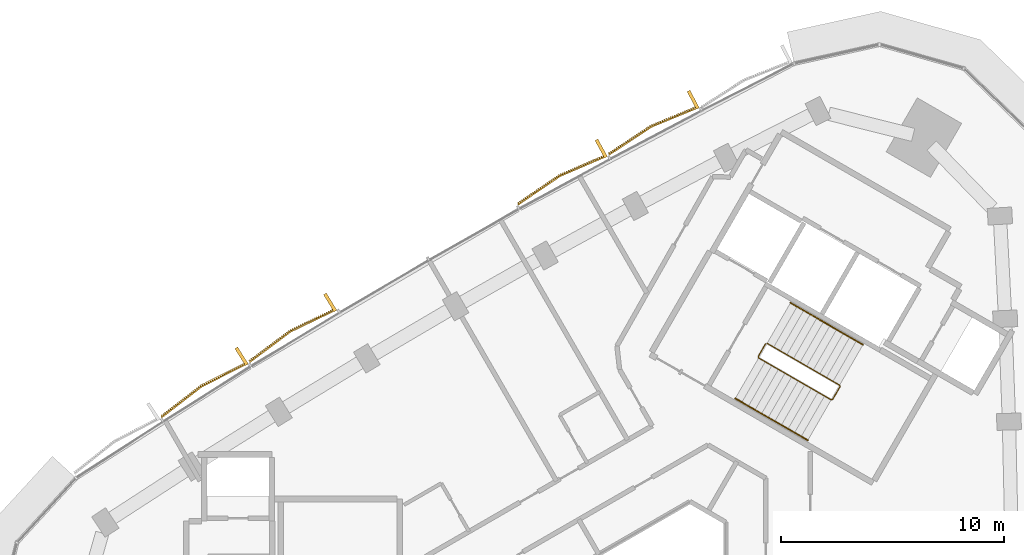
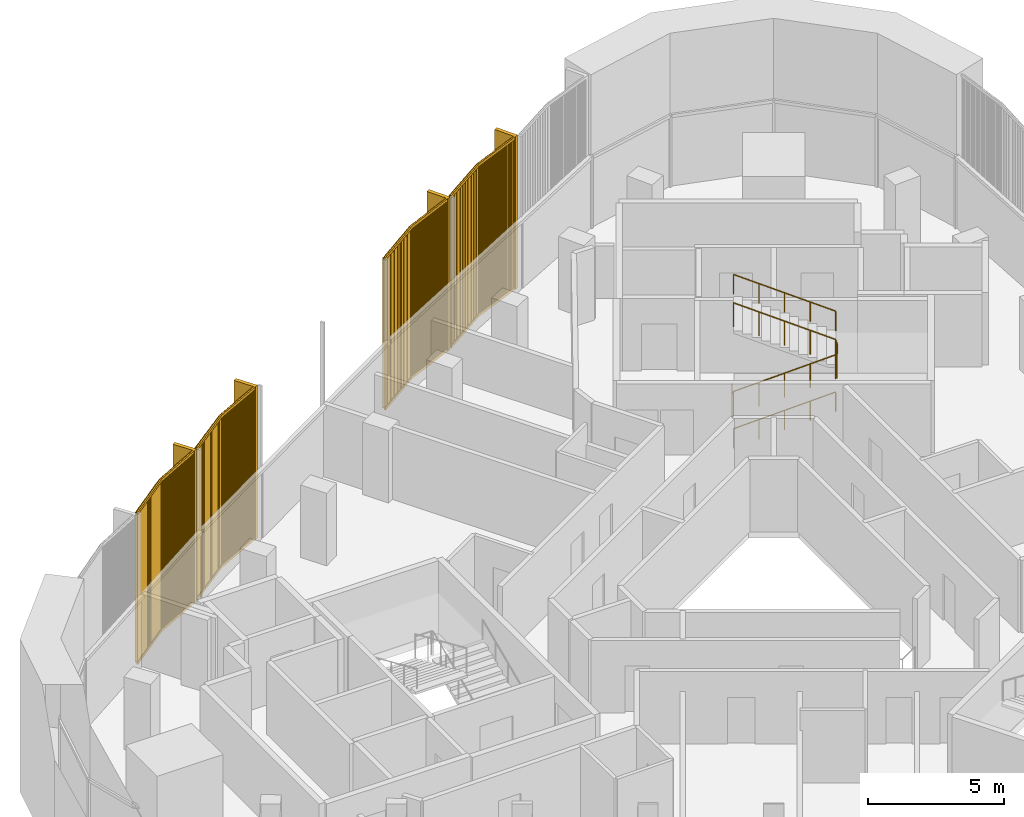
# One storey, part 15 of 16: 4 coverings, 3 railings.
"""IFC4 building model written with IfcOpenShell, lengths in metres."""

from ifc_helpers import new_model, si_unit, direction, frame, frame_2d, origin, origin_2d, place, context, subcontext, project, spatial, rectangle, circle, extrude, source, transform, mapped, material, type_object, element, save


model = new_model("IFC4")

# Units and contexts
model_context = context("Model", 3, precision=1e-05, world=origin(), true_north=direction((0.0, 1.0)))
body_context = subcontext(model_context, "Body", "Model", "MODEL_VIEW")
ifc_project = project(units=[si_unit("LENGTHUNIT", "METRE"), si_unit("AREAUNIT", "SQUARE_METRE"), si_unit("VOLUMEUNIT", "CUBIC_METRE"), si_unit("PLANEANGLEUNIT", "RADIAN"), si_unit("MASSUNIT", "GRAM", prefix="KILO")], contexts=[model_context])

# Site, building, storey
site_placement = place(None, origin())
site = spatial("IfcSite", under=ifc_project, at=site_placement, CompositionType="ELEMENT")
building_placement = place(site_placement, origin())
building = spatial("IfcBuilding", under=site, at=building_placement, Name="Tamra Quay Hotel Tower", CompositionType="ELEMENT")
storey_placement = place(building_placement, frame((0.0, 0.0, 232.199951171875)))
storey = spatial("IfcBuildingStorey", under=building, at=storey_placement, Name="L58", CompositionType="ELEMENT", Elevation=232.199951171875)

# Railings
ifc_material_1 = material(Name="Stair guard 1100")
railing_type_1 = type_object("IfcRailingType", Name="Stair guard 1100", PredefinedType="GUARDRAIL", material=ifc_material_1)
railing_1_placement = place(storey_placement, frame((5.595458984375, 12.751953125, 0.0)))
element("IfcRailing", 1, at=railing_1_placement, inside=storey, type_object=railing_type_1, Name="GR", PredefinedType="GUARDRAIL", context=body_context, shape_type="SweptSolid", body=[
    extrude(circle(Radius=0.02392578125, at=origin_2d()), frame((0.0, 0.0, 1.076171875), z_axis=(-0.499765215335, -0.866160914346, 0.0), x_axis=(0.866160914346, -0.499765215335, 0.0)), (0.0, 0.0, 1.0), 0.658935546875),
    extrude(circle(Radius=0.02392578125, at=origin_2d()), frame((-0.329345703125, -0.57080078125, 1.076171875), z_axis=(0.110378772244, -0.410609032747, 0.905105932399), x_axis=(0.965715946433, 0.259601060869, 0.0)), (0.0, 0.0, 1.0), 0.165771484375),
    extrude(circle(Radius=0.02392578125, at=origin_2d()), frame((-0.31103515625, -0.638916015625, 1.22607421875), z_axis=(0.793078462799, -0.457933869594, 0.401650498471), x_axis=(0.500040788363, 0.866001853331, 0.0)), (0.0, 0.0, 1.0), 4.10791015625),
    extrude(circle(Radius=0.02392578125, at=origin_2d()), frame((2.94677734375, -2.52001953125, 2.8759765625), z_axis=(0.965948051503, 0.258736085224, 0.0), x_axis=(-0.258736085224, 0.965948051503, 0.0)), (0.0, 0.0, 1.0), 0.07080078125),
    extrude(circle(Radius=0.02392578125, at=origin_2d()), frame((3.01513671875, -2.501708984375, 2.8759765625), z_axis=(0.500043078269, 0.866000531106, 0.0), x_axis=(-0.866000531106, 0.500043078269, 0.0)), (0.0, 0.0, 1.0), 0.6591796875),
    extrude(circle(Radius=0.02392578125, at=origin_2d()), frame((3.3447265625, -1.930908203125, 2.8759765625), z_axis=(-0.110525977783, 0.411156637351, 0.904839338113), x_axis=(-0.965715946433, -0.259601060869, 0.0)), (0.0, 0.0, 1.0), 0.165771484375),
    extrude(circle(Radius=0.02392578125, at=origin_2d()), frame((3.326416015625, -1.86279296875, 3.02587890625), z_axis=(-0.793081581205, 0.457901355053, 0.401681409319), x_axis=(-0.500012686397, -0.866018079166, 0.0)), (0.0, 0.0, 1.0), 4.108154296875),
    extrude(circle(Radius=0.02099609375, at=origin_2d()), origin(), (0.0, 0.0, 1.0), 1.052001953125),
    extrude(circle(Radius=0.02099609375, at=origin_2d()), frame((-0.329345703125, -0.57080078125, 0.0)), (0.0, 0.0, 1.0), 1.052001953125),
    extrude(circle(Radius=0.02099609375, at=origin_2d()), frame((-0.31103515625, -0.638916015625, 0.150146484375)), (0.0, 0.0, 1.0), 1.052001953125),
    extrude(circle(Radius=0.02099609375, at=origin_2d()), frame((0.50341796875, -1.109130859375, 0.5625)), (0.0, 0.0, 1.0), 1.052001953125),
    extrude(circle(Radius=0.02099609375, at=origin_2d()), frame((1.31787109375, -1.57958984375, 0.97509765625)), (0.0, 0.0, 1.0), 1.052001953125),
    extrude(circle(Radius=0.02099609375, at=origin_2d()), frame((2.13232421875, -2.0498046875, 1.3876953125)), (0.0, 0.0, 1.0), 1.052001953125),
    extrude(circle(Radius=0.02099609375, at=origin_2d()), frame((2.94677734375, -2.52001953125, 1.800048828125)), (0.0, 0.0, 1.0), 1.052001953125),
    extrude(circle(Radius=0.02099609375, at=origin_2d()), frame((3.01513671875, -2.501708984375, 1.800048828125)), (0.0, 0.0, 1.0), 1.052001953125),
    extrude(circle(Radius=0.02099609375, at=origin_2d()), frame((3.3447265625, -1.930908203125, 1.800048828125)), (0.0, 0.0, 1.0), 1.052001953125),
    extrude(circle(Radius=0.02099609375, at=origin_2d()), frame((3.326416015625, -1.86279296875, 1.949951171875)), (0.0, 0.0, 1.0), 1.052001953125),
    extrude(circle(Radius=0.02099609375, at=origin_2d()), frame((2.511962890625, -1.392578125, 2.362548828125)), (0.0, 0.0, 1.0), 1.052001953125),
    extrude(circle(Radius=0.02099609375, at=origin_2d()), frame((1.697265625, -0.92236328125, 2.77490234375)), (0.0, 0.0, 1.0), 1.052001953125),
    extrude(circle(Radius=0.02099609375, at=origin_2d()), frame((0.8828125, -0.451904296875, 3.1875)), (0.0, 0.0, 1.0), 1.052001953125),
    extrude(circle(Radius=0.02099609375, at=origin_2d()), frame((0.068359375, 0.018310546875, 3.60009765625)), (0.0, 0.0, 1.0), 1.052001953125),
])
ifc_material_2 = material(Name="Stair handrail 900")
railing_type_2 = type_object("IfcRailingType", Name="Stair handrail 900", PredefinedType="HANDRAIL", material=ifc_material_2)
railing_2_placement = place(storey_placement, frame((4.234375, 10.294189453125, 0.150146484375)))
element("IfcRailing", 2, at=railing_2_placement, inside=storey, type_object=railing_type_2, Name="HR", PredefinedType="HANDRAIL", context=body_context, shape_type="SweptSolid", body=[
    extrude(circle(Radius=0.02392578125, at=origin_2d()), frame((0.0, 0.0, 0.8759765625), z_axis=(0.793122095483, -0.45786531462, 0.401642496911), x_axis=(0.499964013922, 0.86604617936, 0.0)), (0.0, 0.0, 1.0), 4.10791015625),
    extrude(circle(Radius=0.02099609375, at=origin_2d()), origin(), (0.0, 0.0, 1.0), 0.851806640625),
    extrude(circle(Radius=0.02099609375, at=origin_2d()), frame((0.814453125, -0.47021484375, 0.41259765625)), (0.0, 0.0, 1.0), 0.851806640625),
    extrude(circle(Radius=0.02099609375, at=origin_2d()), frame((1.62890625, -0.9404296875, 0.824951171875)), (0.0, 0.0, 1.0), 0.851806640625),
    extrude(circle(Radius=0.02099609375, at=origin_2d()), frame((2.443603515625, -1.41064453125, 1.2373046875)), (0.0, 0.0, 1.0), 0.851806640625),
    extrude(circle(Radius=0.02099609375, at=origin_2d()), frame((3.258056640625, -1.880859375, 1.64990234375)), (0.0, 0.0, 1.0), 0.851806640625),
])
railing_3_placement = place(storey_placement, frame((9.971923828125, 12.7080078125, 1.949951171875)))
element("IfcRailing", 3, at=railing_3_placement, inside=storey, type_object=railing_type_2, Name="HR", PredefinedType="HANDRAIL", context=body_context, shape_type="SweptSolid", body=[
    extrude(circle(Radius=0.02392578125, at=origin_2d()), frame((0.0, 0.0, 0.8759765625), z_axis=(-0.793103162556, 0.457854384738, 0.401692339881), x_axis=(-0.499964013922, -0.86604617936, 0.0)), (0.0, 0.0, 1.0), 4.10791015625),
    extrude(circle(Radius=0.02099609375, at=origin_2d()), origin(), (0.0, 0.0, 1.0), 0.851806640625),
    extrude(circle(Radius=0.02099609375, at=origin_2d()), frame((-0.814453125, 0.47021484375, 0.41259765625)), (0.0, 0.0, 1.0), 0.851806640625),
    extrude(circle(Radius=0.02099609375, at=origin_2d()), frame((-1.62890625, 0.9404296875, 0.8251953125)), (0.0, 0.0, 1.0), 0.851806640625),
    extrude(circle(Radius=0.02099609375, at=origin_2d()), frame((-2.443603515625, 1.41064453125, 1.237548828125)), (0.0, 0.0, 1.0), 0.851806640625),
    extrude(circle(Radius=0.02099609375, at=origin_2d()), frame((-3.258056640625, 1.880859375, 1.650146484375)), (0.0, 0.0, 1.0), 0.851806640625),
])

# Coverings
ifc_material_3 = material(Name="Terracotta baguette extruded", Category="masonry")
covering_type = type_object("IfcCoveringType", Name="BAGUETTE SCREEN NW-V H6850", PredefinedType="USERDEFINED", material=ifc_material_3)
shared_shape_1 = source(origin(), body_context, "Body", "SweptSolid", [
    extrude(rectangle(XDim=2.29296875, YDim=0.06005859375, at=frame_2d((1.146484375, 0.030029296875))), frame((-2.288330078125, -0.0576171875, -0.1201171875), z_axis=(0.0, 0.0, 1.0), x_axis=(0.995396198367, -0.09584575252, 0.0)), (0.0, 0.0, 1.0), 0.1201171875),
    extrude(rectangle(XDim=2.29296875, YDim=0.06005859375, at=frame_2d((1.146484375, 0.030029296875))), frame((-2.288330078125, -0.0576171875, -6.85009765625), z_axis=(0.0, 0.0, 1.0), x_axis=(0.995396198367, -0.09584575252, 0.0)), (0.0, 0.0, 1.0), 0.1201171875),
    extrude(rectangle(XDim=0.070068359375, YDim=0.10009765625, at=frame_2d((0.03515625, 0.050048828125))), frame((-2.267822265625, -0.1328125, -6.7900390625)), (0.0, 0.0, 1.0), 6.72998046875),
    extrude(rectangle(XDim=0.070068359375, YDim=0.10009765625, at=frame_2d((0.03515625, 0.050048828125))), frame((-2.168701171875, -0.142333984375, -6.7900390625)), (0.0, 0.0, 1.0), 6.72998046875),
    extrude(rectangle(XDim=0.070068359375, YDim=0.10009765625, at=frame_2d((0.03515625, 0.050048828125))), frame((-2.0693359375, -0.15185546875, -6.7900390625)), (0.0, 0.0, 1.0), 6.72998046875),
    extrude(rectangle(XDim=0.070068359375, YDim=0.10009765625, at=frame_2d((0.03515625, 0.050048828125))), frame((-1.97021484375, -0.161376953125, -6.7900390625)), (0.0, 0.0, 1.0), 6.72998046875),
    extrude(rectangle(XDim=0.070068359375, YDim=0.10009765625, at=frame_2d((0.03515625, 0.050048828125))), frame((-1.870849609375, -0.1708984375, -6.7900390625)), (0.0, 0.0, 1.0), 6.72998046875),
    extrude(rectangle(XDim=0.070068359375, YDim=0.10009765625, at=frame_2d((0.03515625, 0.050048828125))), frame((-1.771728515625, -0.1806640625, -6.7900390625)), (0.0, 0.0, 1.0), 6.72998046875),
    extrude(rectangle(XDim=0.070068359375, YDim=0.10009765625, at=frame_2d((0.03515625, 0.050048828125))), frame((-1.67236328125, -0.190185546875, -6.7900390625)), (0.0, 0.0, 1.0), 6.72998046875),
    extrude(rectangle(XDim=0.070068359375, YDim=0.10009765625, at=frame_2d((0.03515625, 0.050048828125))), frame((-1.5732421875, -0.19970703125, -6.7900390625)), (0.0, 0.0, 1.0), 6.72998046875),
    extrude(rectangle(XDim=0.070068359375, YDim=0.10009765625, at=frame_2d((0.03515625, 0.050048828125))), frame((-1.473876953125, -0.209228515625, -6.7900390625)), (0.0, 0.0, 1.0), 6.72998046875),
    extrude(rectangle(XDim=0.070068359375, YDim=0.10009765625, at=frame_2d((0.03515625, 0.050048828125))), frame((-1.374755859375, -0.21875, -6.7900390625)), (0.0, 0.0, 1.0), 6.72998046875),
    extrude(rectangle(XDim=0.070068359375, YDim=0.10009765625, at=frame_2d((0.03515625, 0.050048828125))), frame((-1.275390625, -0.228271484375, -6.7900390625)), (0.0, 0.0, 1.0), 6.72998046875),
    extrude(rectangle(XDim=0.070068359375, YDim=0.10009765625, at=frame_2d((0.03515625, 0.050048828125))), frame((-1.17626953125, -0.23779296875, -6.7900390625)), (0.0, 0.0, 1.0), 6.72998046875),
    extrude(rectangle(XDim=0.070068359375, YDim=0.10009765625, at=frame_2d((0.03515625, 0.050048828125))), frame((-1.076904296875, -0.24755859375, -6.7900390625)), (0.0, 0.0, 1.0), 6.72998046875),
    extrude(rectangle(XDim=0.070068359375, YDim=0.10009765625, at=frame_2d((0.03515625, 0.050048828125))), frame((-0.977783203125, -0.257080078125, -6.7900390625)), (0.0, 0.0, 1.0), 6.72998046875),
    extrude(rectangle(XDim=0.070068359375, YDim=0.10009765625, at=frame_2d((0.03515625, 0.050048828125))), frame((-0.87841796875, -0.2666015625, -6.7900390625)), (0.0, 0.0, 1.0), 6.72998046875),
    extrude(rectangle(XDim=0.070068359375, YDim=0.10009765625, at=frame_2d((0.03515625, 0.050048828125))), frame((-0.779296875, -0.276123046875, -6.7900390625)), (0.0, 0.0, 1.0), 6.72998046875),
    extrude(rectangle(XDim=0.070068359375, YDim=0.10009765625, at=frame_2d((0.03515625, 0.050048828125))), frame((-0.679931640625, -0.28564453125, -6.7900390625)), (0.0, 0.0, 1.0), 6.72998046875),
    extrude(rectangle(XDim=0.070068359375, YDim=0.10009765625, at=frame_2d((0.03515625, 0.050048828125))), frame((-0.580810546875, -0.295166015625, -6.7900390625)), (0.0, 0.0, 1.0), 6.72998046875),
    extrude(rectangle(XDim=0.070068359375, YDim=0.10009765625, at=frame_2d((0.03515625, 0.050048828125))), frame((-0.481689453125, -0.3046875, -6.7900390625)), (0.0, 0.0, 1.0), 6.72998046875),
    extrude(rectangle(XDim=0.070068359375, YDim=0.10009765625, at=frame_2d((0.03515625, 0.050048828125))), frame((-0.38232421875, -0.314453125, -6.7900390625)), (0.0, 0.0, 1.0), 6.72998046875),
    extrude(rectangle(XDim=0.070068359375, YDim=0.10009765625, at=frame_2d((0.03515625, 0.050048828125))), frame((-0.283203125, -0.323974609375, -6.7900390625)), (0.0, 0.0, 1.0), 6.72998046875),
    extrude(rectangle(XDim=0.070068359375, YDim=0.10009765625, at=frame_2d((0.03515625, 0.050048828125))), frame((-0.183837890625, -0.33349609375, -6.7900390625)), (0.0, 0.0, 1.0), 6.72998046875),
    extrude(rectangle(XDim=0.070068359375, YDim=0.10009765625, at=frame_2d((0.03515625, 0.050048828125))), frame((-0.084716796875, -0.343017578125, -6.7900390625)), (0.0, 0.0, 1.0), 6.72998046875),
    extrude(rectangle(XDim=2.29296875, YDim=0.06005859375, at=frame_2d((1.146484375, 0.030029296875))), frame((0.005859375, -0.277587890625, -0.1201171875), z_axis=(0.0, 0.0, 1.0), x_axis=(0.995396198367, 0.09584575252, 0.0)), (0.0, 0.0, 1.0), 0.1201171875),
    extrude(rectangle(XDim=2.29296875, YDim=0.06005859375, at=frame_2d((1.146484375, 0.030029296875))), frame((0.005859375, -0.277587890625, -6.85009765625), z_axis=(0.0, 0.0, 1.0), x_axis=(0.995396198367, 0.09584575252, 0.0)), (0.0, 0.0, 1.0), 0.1201171875),
    extrude(rectangle(XDim=0.070068359375, YDim=0.10009765625, at=frame_2d((0.03515625, 0.050048828125))), frame((0.0146484375, -0.343017578125, -6.7900390625)), (0.0, 0.0, 1.0), 6.72998046875),
    extrude(rectangle(XDim=0.070068359375, YDim=0.10009765625, at=frame_2d((0.03515625, 0.050048828125))), frame((0.11376953125, -0.33349609375, -6.7900390625)), (0.0, 0.0, 1.0), 6.72998046875),
    extrude(rectangle(XDim=0.070068359375, YDim=0.10009765625, at=frame_2d((0.03515625, 0.050048828125))), frame((0.213134765625, -0.323974609375, -6.7900390625)), (0.0, 0.0, 1.0), 6.72998046875),
    extrude(rectangle(XDim=0.070068359375, YDim=0.10009765625, at=frame_2d((0.03515625, 0.050048828125))), frame((0.312255859375, -0.314453125, -6.7900390625)), (0.0, 0.0, 1.0), 6.72998046875),
    extrude(rectangle(XDim=0.070068359375, YDim=0.10009765625, at=frame_2d((0.03515625, 0.050048828125))), frame((0.41162109375, -0.3046875, -6.7900390625)), (0.0, 0.0, 1.0), 6.72998046875),
    extrude(rectangle(XDim=0.070068359375, YDim=0.10009765625, at=frame_2d((0.03515625, 0.050048828125))), frame((0.5107421875, -0.295166015625, -6.7900390625)), (0.0, 0.0, 1.0), 6.72998046875),
    extrude(rectangle(XDim=0.070068359375, YDim=0.10009765625, at=frame_2d((0.03515625, 0.050048828125))), frame((0.610107421875, -0.28564453125, -6.7900390625)), (0.0, 0.0, 1.0), 6.72998046875),
    extrude(rectangle(XDim=0.070068359375, YDim=0.10009765625, at=frame_2d((0.03515625, 0.050048828125))), frame((0.709228515625, -0.276123046875, -6.7900390625)), (0.0, 0.0, 1.0), 6.72998046875),
    extrude(rectangle(XDim=0.070068359375, YDim=0.10009765625, at=frame_2d((0.03515625, 0.050048828125))), frame((0.80859375, -0.2666015625, -6.7900390625)), (0.0, 0.0, 1.0), 6.72998046875),
    extrude(rectangle(XDim=0.070068359375, YDim=0.10009765625, at=frame_2d((0.03515625, 0.050048828125))), frame((0.90771484375, -0.257080078125, -6.7900390625)), (0.0, 0.0, 1.0), 6.72998046875),
    extrude(rectangle(XDim=0.070068359375, YDim=0.10009765625, at=frame_2d((0.03515625, 0.050048828125))), frame((1.007080078125, -0.24755859375, -6.7900390625)), (0.0, 0.0, 1.0), 6.72998046875),
    extrude(rectangle(XDim=0.070068359375, YDim=0.10009765625, at=frame_2d((0.03515625, 0.050048828125))), frame((1.106201171875, -0.23779296875, -6.7900390625)), (0.0, 0.0, 1.0), 6.72998046875),
    extrude(rectangle(XDim=0.070068359375, YDim=0.10009765625, at=frame_2d((0.03515625, 0.050048828125))), frame((1.20556640625, -0.228271484375, -6.7900390625)), (0.0, 0.0, 1.0), 6.72998046875),
    extrude(rectangle(XDim=0.070068359375, YDim=0.10009765625, at=frame_2d((0.03515625, 0.050048828125))), frame((1.3046875, -0.21875, -6.7900390625)), (0.0, 0.0, 1.0), 6.72998046875),
    extrude(rectangle(XDim=0.070068359375, YDim=0.10009765625, at=frame_2d((0.03515625, 0.050048828125))), frame((1.404052734375, -0.209228515625, -6.7900390625)), (0.0, 0.0, 1.0), 6.72998046875),
    extrude(rectangle(XDim=0.070068359375, YDim=0.10009765625, at=frame_2d((0.03515625, 0.050048828125))), frame((1.503173828125, -0.19970703125, -6.7900390625)), (0.0, 0.0, 1.0), 6.72998046875),
    extrude(rectangle(XDim=0.070068359375, YDim=0.10009765625, at=frame_2d((0.03515625, 0.050048828125))), frame((1.6025390625, -0.190185546875, -6.7900390625)), (0.0, 0.0, 1.0), 6.72998046875),
    extrude(rectangle(XDim=0.070068359375, YDim=0.10009765625, at=frame_2d((0.03515625, 0.050048828125))), frame((1.70166015625, -0.1806640625, -6.7900390625)), (0.0, 0.0, 1.0), 6.72998046875),
    extrude(rectangle(XDim=0.070068359375, YDim=0.10009765625, at=frame_2d((0.03515625, 0.050048828125))), frame((1.801025390625, -0.1708984375, -6.7900390625)), (0.0, 0.0, 1.0), 6.72998046875),
    extrude(rectangle(XDim=0.070068359375, YDim=0.10009765625, at=frame_2d((0.03515625, 0.050048828125))), frame((1.900146484375, -0.161376953125, -6.7900390625)), (0.0, 0.0, 1.0), 6.72998046875),
    extrude(rectangle(XDim=0.070068359375, YDim=0.10009765625, at=frame_2d((0.03515625, 0.050048828125))), frame((1.99951171875, -0.15185546875, -6.7900390625)), (0.0, 0.0, 1.0), 6.72998046875),
    extrude(rectangle(XDim=0.070068359375, YDim=0.10009765625, at=frame_2d((0.03515625, 0.050048828125))), frame((2.0986328125, -0.142333984375, -6.7900390625)), (0.0, 0.0, 1.0), 6.72998046875),
    extrude(rectangle(XDim=0.070068359375, YDim=0.10009765625, at=frame_2d((0.03515625, 0.050048828125))), frame((2.197998046875, -0.1328125, -6.7900390625)), (0.0, 0.0, 1.0), 6.72998046875),
    extrude(rectangle(XDim=0.14990234375, YDim=0.902099609375, at=frame_2d((0.074951171875, 0.451171875))), frame((-2.282470703125, -0.89990234375, -6.85009765625)), (0.0, 0.0, 1.0), 6.85009765625),
])
for number, where, z_axis, x_axis, name in (
    (4, (-3.51220703125, 20.0703125, 6.85009765625), (0.0, 0.0, 1.0), (-0.876845960448, -0.480771423492, 0.0), "Baguette screen L58.NW.f02"),
    (5, (-15.625244140625, 13.07666015625, 6.85009765625), (0.0, 0.0, 1.0), (-0.854783246382, -0.518985165207, 0.0), "Baguette screen L58.NW.f05"),
):
    element("IfcCovering", number, at=place(storey_placement, frame(where, z_axis=z_axis, x_axis=x_axis)), inside=storey, type_object=covering_type, Name=name, ObjectType="BAGUETTE SCREEN", PredefinedType="USERDEFINED", context=body_context, shape_type="MappedRepresentation", body=[
        mapped(shared_shape_1, transform((0.0, 0.0, 0.0), scale=1.0)),
    ])
shared_shape_2 = source(origin(), body_context, "Body", "SweptSolid", [
    extrude(rectangle(XDim=2.302978515625, YDim=0.06005859375, at=frame_2d((1.1513671875, 0.030029296875))), frame((-2.29833984375, -0.0576171875, -0.1201171875), z_axis=(0.0, 0.0, 1.0), x_axis=(0.995396198367, -0.09584575252, 0.0)), (0.0, 0.0, 1.0), 0.1201171875),
    extrude(rectangle(XDim=2.302978515625, YDim=0.06005859375, at=frame_2d((1.1513671875, 0.030029296875))), frame((-2.29833984375, -0.0576171875, -6.85009765625), z_axis=(0.0, 0.0, 1.0), x_axis=(0.995396198367, -0.09584575252, 0.0)), (0.0, 0.0, 1.0), 0.1201171875),
    extrude(rectangle(XDim=0.070068359375, YDim=0.10009765625, at=frame_2d((0.03515625, 0.050048828125))), frame((-2.277587890625, -0.1328125, -6.7900390625)), (0.0, 0.0, 1.0), 6.72998046875),
    extrude(rectangle(XDim=0.070068359375, YDim=0.10009765625, at=frame_2d((0.03515625, 0.050048828125))), frame((-2.177978515625, -0.142333984375, -6.7900390625)), (0.0, 0.0, 1.0), 6.72998046875),
    extrude(rectangle(XDim=0.070068359375, YDim=0.10009765625, at=frame_2d((0.03515625, 0.050048828125))), frame((-2.078369140625, -0.152099609375, -6.7900390625)), (0.0, 0.0, 1.0), 6.72998046875),
    extrude(rectangle(XDim=0.070068359375, YDim=0.10009765625, at=frame_2d((0.03515625, 0.050048828125))), frame((-1.978759765625, -0.16162109375, -6.7900390625)), (0.0, 0.0, 1.0), 6.72998046875),
    extrude(rectangle(XDim=0.070068359375, YDim=0.10009765625, at=frame_2d((0.03515625, 0.050048828125))), frame((-1.87890625, -0.171142578125, -6.7900390625)), (0.0, 0.0, 1.0), 6.72998046875),
    extrude(rectangle(XDim=0.070068359375, YDim=0.10009765625, at=frame_2d((0.03515625, 0.050048828125))), frame((-1.779296875, -0.180908203125, -6.7900390625)), (0.0, 0.0, 1.0), 6.72998046875),
    extrude(rectangle(XDim=0.070068359375, YDim=0.10009765625, at=frame_2d((0.03515625, 0.050048828125))), frame((-1.6796875, -0.1904296875, -6.7900390625)), (0.0, 0.0, 1.0), 6.72998046875),
    extrude(rectangle(XDim=0.070068359375, YDim=0.10009765625, at=frame_2d((0.03515625, 0.050048828125))), frame((-1.579833984375, -0.199951171875, -6.7900390625)), (0.0, 0.0, 1.0), 6.72998046875),
    extrude(rectangle(XDim=0.070068359375, YDim=0.10009765625, at=frame_2d((0.03515625, 0.050048828125))), frame((-1.480224609375, -0.20947265625, -6.7900390625)), (0.0, 0.0, 1.0), 6.72998046875),
    extrude(rectangle(XDim=0.070068359375, YDim=0.10009765625, at=frame_2d((0.03515625, 0.050048828125))), frame((-1.380615234375, -0.21923828125, -6.7900390625)), (0.0, 0.0, 1.0), 6.72998046875),
    extrude(rectangle(XDim=0.070068359375, YDim=0.10009765625, at=frame_2d((0.03515625, 0.050048828125))), frame((-1.281005859375, -0.228759765625, -6.7900390625)), (0.0, 0.0, 1.0), 6.72998046875),
    extrude(rectangle(XDim=0.070068359375, YDim=0.10009765625, at=frame_2d((0.03515625, 0.050048828125))), frame((-1.18115234375, -0.23828125, -6.7900390625)), (0.0, 0.0, 1.0), 6.72998046875),
    extrude(rectangle(XDim=0.070068359375, YDim=0.10009765625, at=frame_2d((0.03515625, 0.050048828125))), frame((-1.08154296875, -0.248046875, -6.7900390625)), (0.0, 0.0, 1.0), 6.72998046875),
    extrude(rectangle(XDim=0.070068359375, YDim=0.10009765625, at=frame_2d((0.03515625, 0.050048828125))), frame((-0.98193359375, -0.257568359375, -6.7900390625)), (0.0, 0.0, 1.0), 6.72998046875),
    extrude(rectangle(XDim=0.070068359375, YDim=0.10009765625, at=frame_2d((0.03515625, 0.050048828125))), frame((-0.88232421875, -0.26708984375, -6.7900390625)), (0.0, 0.0, 1.0), 6.72998046875),
    extrude(rectangle(XDim=0.070068359375, YDim=0.10009765625, at=frame_2d((0.03515625, 0.050048828125))), frame((-0.782470703125, -0.27685546875, -6.7900390625)), (0.0, 0.0, 1.0), 6.72998046875),
    extrude(rectangle(XDim=0.070068359375, YDim=0.10009765625, at=frame_2d((0.03515625, 0.050048828125))), frame((-0.682861328125, -0.286376953125, -6.7900390625)), (0.0, 0.0, 1.0), 6.72998046875),
    extrude(rectangle(XDim=0.070068359375, YDim=0.10009765625, at=frame_2d((0.03515625, 0.050048828125))), frame((-0.583251953125, -0.2958984375, -6.7900390625)), (0.0, 0.0, 1.0), 6.72998046875),
    extrude(rectangle(XDim=0.070068359375, YDim=0.10009765625, at=frame_2d((0.03515625, 0.050048828125))), frame((-0.483642578125, -0.3056640625, -6.7900390625)), (0.0, 0.0, 1.0), 6.72998046875),
    extrude(rectangle(XDim=0.070068359375, YDim=0.10009765625, at=frame_2d((0.03515625, 0.050048828125))), frame((-0.3837890625, -0.315185546875, -6.7900390625)), (0.0, 0.0, 1.0), 6.72998046875),
    extrude(rectangle(XDim=0.070068359375, YDim=0.10009765625, at=frame_2d((0.03515625, 0.050048828125))), frame((-0.2841796875, -0.32470703125, -6.7900390625)), (0.0, 0.0, 1.0), 6.72998046875),
    extrude(rectangle(XDim=0.070068359375, YDim=0.10009765625, at=frame_2d((0.03515625, 0.050048828125))), frame((-0.1845703125, -0.334228515625, -6.7900390625)), (0.0, 0.0, 1.0), 6.72998046875),
    extrude(rectangle(XDim=0.070068359375, YDim=0.10009765625, at=frame_2d((0.03515625, 0.050048828125))), frame((-0.0849609375, -0.343994140625, -6.7900390625)), (0.0, 0.0, 1.0), 6.72998046875),
    extrude(rectangle(XDim=2.302978515625, YDim=0.06005859375, at=frame_2d((1.1513671875, 0.030029296875))), frame((0.005859375, -0.278564453125, -0.1201171875), z_axis=(0.0, 0.0, 1.0), x_axis=(0.995396198367, 0.09584575252, 0.0)), (0.0, 0.0, 1.0), 0.1201171875),
    extrude(rectangle(XDim=2.302978515625, YDim=0.06005859375, at=frame_2d((1.1513671875, 0.030029296875))), frame((0.005859375, -0.278564453125, -6.85009765625), z_axis=(0.0, 0.0, 1.0), x_axis=(0.995396198367, 0.09584575252, 0.0)), (0.0, 0.0, 1.0), 0.1201171875),
    extrude(rectangle(XDim=0.070068359375, YDim=0.10009765625, at=frame_2d((0.03515625, 0.050048828125))), frame((0.014892578125, -0.343994140625, -6.7900390625)), (0.0, 0.0, 1.0), 6.72998046875),
    extrude(rectangle(XDim=0.070068359375, YDim=0.10009765625, at=frame_2d((0.03515625, 0.050048828125))), frame((0.114501953125, -0.334228515625, -6.7900390625)), (0.0, 0.0, 1.0), 6.72998046875),
    extrude(rectangle(XDim=0.070068359375, YDim=0.10009765625, at=frame_2d((0.03515625, 0.050048828125))), frame((0.214111328125, -0.32470703125, -6.7900390625)), (0.0, 0.0, 1.0), 6.72998046875),
    extrude(rectangle(XDim=0.070068359375, YDim=0.10009765625, at=frame_2d((0.03515625, 0.050048828125))), frame((0.31396484375, -0.315185546875, -6.7900390625)), (0.0, 0.0, 1.0), 6.72998046875),
    extrude(rectangle(XDim=0.070068359375, YDim=0.10009765625, at=frame_2d((0.03515625, 0.050048828125))), frame((0.41357421875, -0.3056640625, -6.7900390625)), (0.0, 0.0, 1.0), 6.72998046875),
    extrude(rectangle(XDim=0.070068359375, YDim=0.10009765625, at=frame_2d((0.03515625, 0.050048828125))), frame((0.51318359375, -0.2958984375, -6.7900390625)), (0.0, 0.0, 1.0), 6.72998046875),
    extrude(rectangle(XDim=0.070068359375, YDim=0.10009765625, at=frame_2d((0.03515625, 0.050048828125))), frame((0.61279296875, -0.286376953125, -6.7900390625)), (0.0, 0.0, 1.0), 6.72998046875),
    extrude(rectangle(XDim=0.070068359375, YDim=0.10009765625, at=frame_2d((0.03515625, 0.050048828125))), frame((0.712646484375, -0.27685546875, -6.7900390625)), (0.0, 0.0, 1.0), 6.72998046875),
    extrude(rectangle(XDim=0.070068359375, YDim=0.10009765625, at=frame_2d((0.03515625, 0.050048828125))), frame((0.812255859375, -0.26708984375, -6.7900390625)), (0.0, 0.0, 1.0), 6.72998046875),
    extrude(rectangle(XDim=0.070068359375, YDim=0.10009765625, at=frame_2d((0.03515625, 0.050048828125))), frame((0.911865234375, -0.257568359375, -6.7900390625)), (0.0, 0.0, 1.0), 6.72998046875),
    extrude(rectangle(XDim=0.070068359375, YDim=0.10009765625, at=frame_2d((0.03515625, 0.050048828125))), frame((1.011474609375, -0.248046875, -6.7900390625)), (0.0, 0.0, 1.0), 6.72998046875),
    extrude(rectangle(XDim=0.070068359375, YDim=0.10009765625, at=frame_2d((0.03515625, 0.050048828125))), frame((1.111328125, -0.23828125, -6.7900390625)), (0.0, 0.0, 1.0), 6.72998046875),
    extrude(rectangle(XDim=0.070068359375, YDim=0.10009765625, at=frame_2d((0.03515625, 0.050048828125))), frame((1.2109375, -0.228759765625, -6.7900390625)), (0.0, 0.0, 1.0), 6.72998046875),
    extrude(rectangle(XDim=0.070068359375, YDim=0.10009765625, at=frame_2d((0.03515625, 0.050048828125))), frame((1.310546875, -0.21923828125, -6.7900390625)), (0.0, 0.0, 1.0), 6.72998046875),
    extrude(rectangle(XDim=0.070068359375, YDim=0.10009765625, at=frame_2d((0.03515625, 0.050048828125))), frame((1.41015625, -0.20947265625, -6.7900390625)), (0.0, 0.0, 1.0), 6.72998046875),
    extrude(rectangle(XDim=0.070068359375, YDim=0.10009765625, at=frame_2d((0.03515625, 0.050048828125))), frame((1.510009765625, -0.199951171875, -6.7900390625)), (0.0, 0.0, 1.0), 6.72998046875),
    extrude(rectangle(XDim=0.070068359375, YDim=0.10009765625, at=frame_2d((0.03515625, 0.050048828125))), frame((1.609619140625, -0.1904296875, -6.7900390625)), (0.0, 0.0, 1.0), 6.72998046875),
    extrude(rectangle(XDim=0.070068359375, YDim=0.10009765625, at=frame_2d((0.03515625, 0.050048828125))), frame((1.709228515625, -0.180908203125, -6.7900390625)), (0.0, 0.0, 1.0), 6.72998046875),
    extrude(rectangle(XDim=0.070068359375, YDim=0.10009765625, at=frame_2d((0.03515625, 0.050048828125))), frame((1.80908203125, -0.171142578125, -6.7900390625)), (0.0, 0.0, 1.0), 6.72998046875),
    extrude(rectangle(XDim=0.070068359375, YDim=0.10009765625, at=frame_2d((0.03515625, 0.050048828125))), frame((1.90869140625, -0.16162109375, -6.7900390625)), (0.0, 0.0, 1.0), 6.72998046875),
    extrude(rectangle(XDim=0.070068359375, YDim=0.10009765625, at=frame_2d((0.03515625, 0.050048828125))), frame((2.00830078125, -0.152099609375, -6.7900390625)), (0.0, 0.0, 1.0), 6.72998046875),
    extrude(rectangle(XDim=0.070068359375, YDim=0.10009765625, at=frame_2d((0.03515625, 0.050048828125))), frame((2.10791015625, -0.142333984375, -6.7900390625)), (0.0, 0.0, 1.0), 6.72998046875),
    extrude(rectangle(XDim=0.070068359375, YDim=0.10009765625, at=frame_2d((0.03515625, 0.050048828125))), frame((2.207763671875, -0.1328125, -6.7900390625)), (0.0, 0.0, 1.0), 6.72998046875),
    extrude(rectangle(XDim=0.14990234375, YDim=0.902099609375, at=frame_2d((0.074951171875, 0.451171875))), frame((-2.29248046875, -0.89990234375, -6.85009765625)), (0.0, 0.0, 1.0), 6.85009765625),
])
for number, where, z_axis, x_axis, name in (
    (6, (0.59228515625, 22.28173828125, 6.85009765625), (0.0, 0.0, 1.0), (-0.883812587773, -0.467841115866, 0.0), "Baguette screen L58.NW.f01"),
    (7, (-19.5927734375, 10.6279296875, 6.85009765625), (0.0, 0.0, 1.0), (-0.847068585161, -0.531483595263, 0.0), "Baguette screen L58.NW.f06"),
):
    element("IfcCovering", number, at=place(storey_placement, frame(where, z_axis=z_axis, x_axis=x_axis)), inside=storey, type_object=covering_type, Name=name, ObjectType="BAGUETTE SCREEN", PredefinedType="USERDEFINED", context=body_context, shape_type="MappedRepresentation", body=[
        mapped(shared_shape_2, transform((0.0, 0.0, 0.0), scale=1.0)),
    ])

save(model, "model.ifc")
